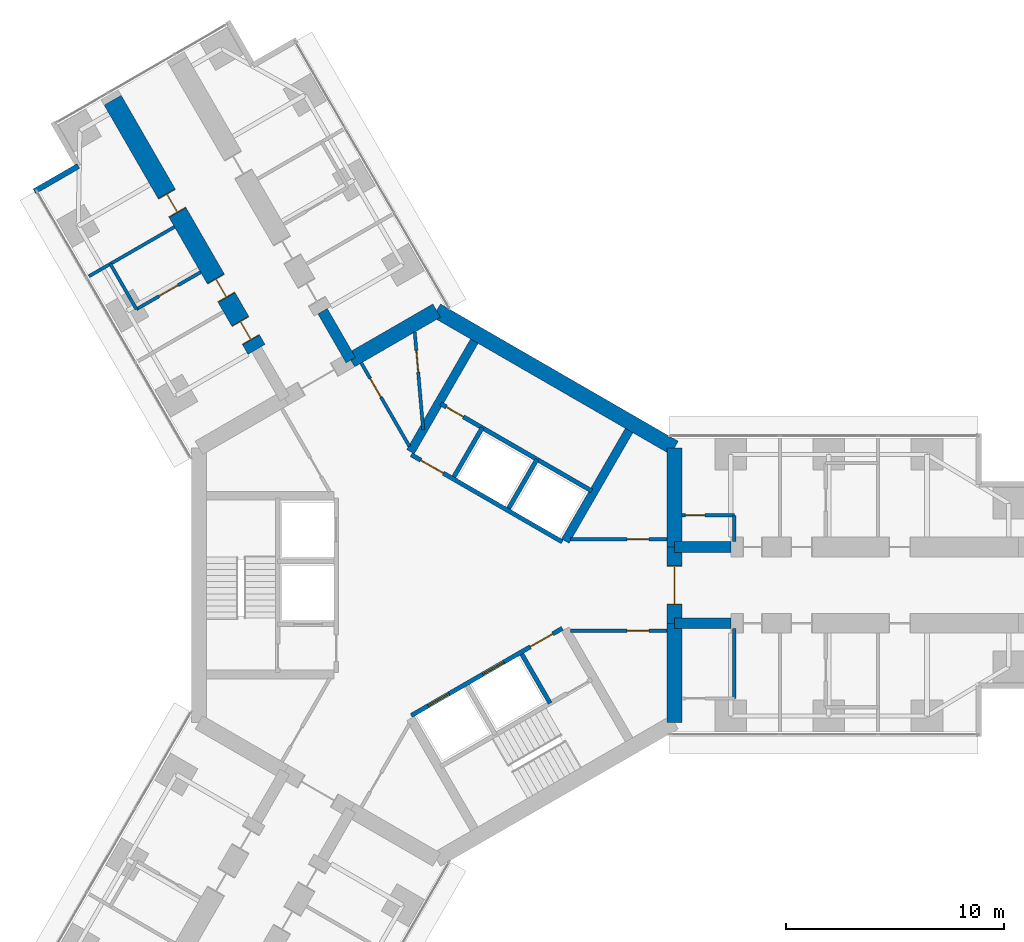
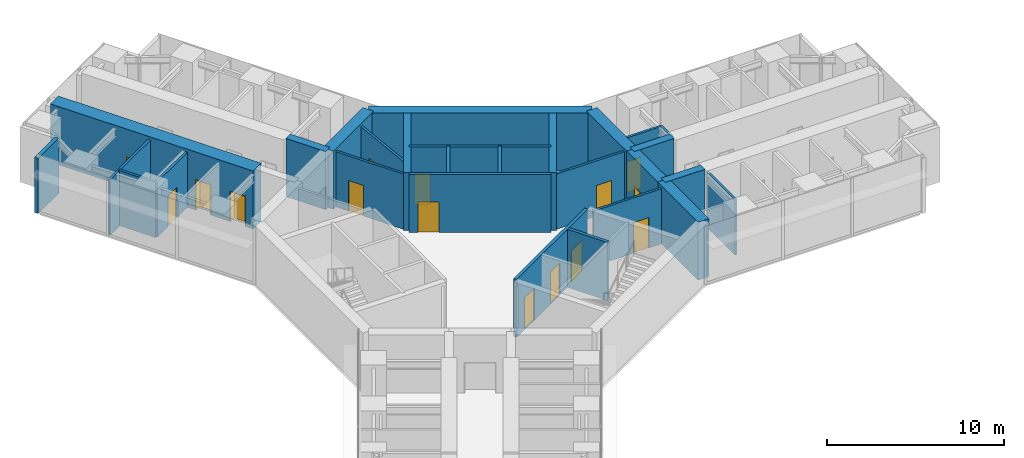
# One storey, part 18 of 24: 28 walls, 15 doors, 15 openings.
"""IFC4 building model written with IfcOpenShell, lengths in metres."""

from ifc_helpers import new_model, si_unit, direction, frame, frame_2d, origin, place, context, subcontext, project, spatial, rectangle, extrude, material, layer, layer_set, type_object, element, fill, save


model = new_model("IFC4")

# Units and contexts
model_context = context("Model", 3, precision=1e-05, world=origin(), true_north=direction((0.0, 1.0)))
body_context = subcontext(model_context, "Body", "Model", "MODEL_VIEW")
ifc_project = project(units=[si_unit("LENGTHUNIT", "METRE"), si_unit("AREAUNIT", "SQUARE_METRE"), si_unit("VOLUMEUNIT", "CUBIC_METRE"), si_unit("PLANEANGLEUNIT", "RADIAN"), si_unit("MASSUNIT", "GRAM", prefix="KILO")], contexts=[model_context])

# Site, building, storey
site_placement = place(None, origin())
site = spatial("IfcSite", under=ifc_project, at=site_placement, CompositionType="ELEMENT")
building_placement = place(site_placement, origin())
building = spatial("IfcBuilding", under=site, at=building_placement, Name="Upepo Twin Towers", CompositionType="ELEMENT")
storey_placement = place(building_placement, frame((0.0, 0.0, 64.5)))
storey = spatial("IfcBuildingStorey", under=building, at=storey_placement, Name="L15", CompositionType="ELEMENT", Elevation=64.5)

# Walls
ifc_material_1 = material(Name="Concrete C60/75", Category="concrete")
ifc_layer_1 = layer(ifc_material_1, 0.5)
ifc_layer_set_1 = layer_set([ifc_layer_1], Name="Concrete C60/75")
wall_type_1 = type_object("IfcWallType", Name="Buttress wall 500 RC", PredefinedType="SHEAR", material=ifc_layer_set_1)
for number, where, z_axis, x_axis, name in (
    (1, (10.908447265625, 1.75, 0.0), (0.0, 0.0, 1.0), (1.0, 0.0, 0.0), "T1 wing A buttress wall L"),
    (2, (10.908447265625, -1.75, 0.0), (0.0, 0.0, 1.0), (1.0, 0.0, 0.0), "T1 wing A buttress wall R"),
):
    element("IfcWall", number, at=place(storey_placement, frame(where, z_axis=z_axis, x_axis=x_axis)), inside=storey, type_object=wall_type_1, Name=name, PredefinedType="SHEAR", context=body_context, shape_type="SweptSolid", body=[
        extrude(rectangle(XDim=2.591552734375, YDim=0.5, at=frame_2d((1.2958984375, 0.0))), origin(), (0.0, 0.0, 1.0), 4.0),
    ])
wall_1_placement = place(storey_placement, frame((-3.938720703125, 10.32177734375, 0.0), z_axis=(0.0, 0.0, 1.0), x_axis=(-0.499918158782, 0.866072649678, 0.0)))
element("IfcWall", 3, at=wall_1_placement, inside=storey, type_object=wall_type_1, Name="T1 wing B buttress wall R", PredefinedType="SHEAR", context=body_context, shape_type="SweptSolid", body=[
    extrude(rectangle(XDim=2.591796875, YDim=0.5, at=frame_2d((1.2958984375, 0.0))), origin(), (0.0, 0.0, 1.0), 4.0),
])

# Wall, openings, doors
ifc_material_2 = material(Name="Concrete C60/75", Category="concrete")
ifc_layer_2 = layer(ifc_material_2, 0.89990234375)
ifc_layer_set_2 = layer_set([ifc_layer_2], Name="Concrete C60/75")
wall_type_2 = type_object("IfcWallType", Name="Buttress wall 900 RC", PredefinedType="SHEAR", material=ifc_layer_set_2)
wall_2_placement = place(storey_placement, frame((-8.265625, 10.81640625, 0.0), z_axis=(0.0, 0.0, 1.0), x_axis=(-0.499996231654, 0.866027579429, 0.0)))
wall_2 = element("IfcWall", 4, at=wall_2_placement, inside=storey, type_object=wall_type_2, Name="T1 wing B buttress wall L part 2", PredefinedType="SHEAR", context=body_context, shape_type="SweptSolid", body=[
    extrude(rectangle(XDim=13.19970703125, YDim=0.89990234375, at=frame_2d((6.599853515625, 0.0))), origin(), (0.0, 0.0, 1.0), 4.0),
])
opening_1_placement = place(wall_2_placement, frame((0.5, 0.0, 0.0)))
opening_1 = element("IfcOpeningElement", 5, at=opening_1_placement, cuts=wall_2, Name="Opening D1", PredefinedType="OPENING", context=body_context, shape_type="SweptSolid", body=[
    extrude(rectangle(XDim=1.0, YDim=2.10009765625, at=frame_2d((0.5, 1.050048828125))), frame((0.0, 0.4599609375, 0.0), z_axis=(0.0, -1.0, 0.0), x_axis=(1.0, 0.0, 0.0)), (0.0, 0.0, 1.0), 0.919921875),
])
opening_2_placement = place(wall_2_placement, frame((2.75, 0.0, 0.0)))
opening_2 = element("IfcOpeningElement", 6, at=opening_2_placement, cuts=wall_2, Name="Opening D1", PredefinedType="OPENING", context=body_context, shape_type="SweptSolid", body=[
    extrude(rectangle(XDim=1.0, YDim=2.10009765625, at=frame_2d((0.5, 1.050048828125))), frame((0.0, 0.4599609375, 0.0), z_axis=(0.0, -1.0, 0.0), x_axis=(1.0, 0.0, 0.0)), (0.0, 0.0, 1.0), 0.919921875),
])
opening_3_placement = place(wall_2_placement, frame((7.25, 0.0, 0.0)))
opening_3 = element("IfcOpeningElement", 7, at=opening_3_placement, cuts=wall_2, Name="Opening D1", PredefinedType="OPENING", context=body_context, shape_type="SweptSolid", body=[
    extrude(rectangle(XDim=1.0, YDim=2.10009765625, at=frame_2d((0.5, 1.050048828125))), frame((0.0, 0.4599609375, 0.0), z_axis=(0.0, -1.0, 0.0), x_axis=(1.0, 0.0, 0.0)), (0.0, 0.0, 1.0), 0.919921875),
])
ifc_material_3 = material(Name="Timber doorset", Category="wood")
door_type_1 = type_object("IfcDoorType", Name="Room door 1000 FD30", OperationType="SINGLE_SWING_LEFT", PredefinedType="DOOR", material=ifc_material_3)
door_1_placement = place(opening_1_placement, origin())
door_1 = element("IfcDoor", 8, at=door_1_placement, inside=storey, type_object=door_type_1, Name="T1 L15 seminar room door", OperationType="SINGLE_SWING_LEFT", OverallHeight=2.10009765625, OverallWidth=1.0, PredefinedType="DOOR", context=body_context, shape_type="SweptSolid", body=[
    extrude(rectangle(XDim=0.92, YDim=2.06009765625, at=frame_2d((0.5, 1.030029296875))), frame((0.0, 0.02490234375, 0.0), z_axis=(0.0, -1.0, 0.0), x_axis=(1.0, 0.0, 0.0)), (0.0, 0.0, 1.0), 0.050048828125),
    extrude(rectangle(XDim=0.04, YDim=2.10009765625, at=frame_2d((0.02001953125, 1.050048828125))), frame((0.0, 0.44970703125, 0.0), z_axis=(0.0, -1.0, 0.0), x_axis=(1.0, 0.0, 0.0)), (0.0, 0.0, 1.0), 0.8994140625),
    extrude(rectangle(XDim=0.04, YDim=2.10009765625, at=frame_2d((0.97998046875, 1.050048828125))), frame((0.0, 0.44970703125, 0.0), z_axis=(0.0, -1.0, 0.0), x_axis=(1.0, 0.0, 0.0)), (0.0, 0.0, 1.0), 0.8994140625),
    extrude(rectangle(XDim=0.92, YDim=0.04, at=frame_2d((0.5, 2.080078125))), frame((0.0, 0.44970703125, 0.0), z_axis=(0.0, -1.0, 0.0), x_axis=(1.0, 0.0, 0.0)), (0.0, 0.0, 1.0), 0.8994140625),
])
fill(opening_1, door_1)
door_2_placement = place(opening_2_placement, origin())
door_2 = element("IfcDoor", 9, at=door_2_placement, inside=storey, type_object=door_type_1, Name="T1 L15 staff office door", OperationType="SINGLE_SWING_LEFT", OverallHeight=2.10009765625, OverallWidth=1.0, PredefinedType="DOOR", context=body_context, shape_type="SweptSolid", body=[
    extrude(rectangle(XDim=0.92, YDim=2.06009765625, at=frame_2d((0.5, 1.030029296875))), frame((0.0, 0.02490234375, 0.0), z_axis=(0.0, -1.0, 0.0), x_axis=(1.0, 0.0, 0.0)), (0.0, 0.0, 1.0), 0.050048828125),
    extrude(rectangle(XDim=0.04, YDim=2.10009765625, at=frame_2d((0.02001953125, 1.050048828125))), frame((0.0, 0.44970703125, 0.0), z_axis=(0.0, -1.0, 0.0), x_axis=(1.0, 0.0, 0.0)), (0.0, 0.0, 1.0), 0.8994140625),
    extrude(rectangle(XDim=0.04, YDim=2.10009765625, at=frame_2d((0.97998046875, 1.050048828125))), frame((0.0, 0.44970703125, 0.0), z_axis=(0.0, -1.0, 0.0), x_axis=(1.0, 0.0, 0.0)), (0.0, 0.0, 1.0), 0.8994140625),
    extrude(rectangle(XDim=0.92, YDim=0.04, at=frame_2d((0.5, 2.080078125))), frame((0.0, 0.44970703125, 0.0), z_axis=(0.0, -1.0, 0.0), x_axis=(1.0, 0.0, 0.0)), (0.0, 0.0, 1.0), 0.8994140625),
])
fill(opening_2, door_2)
door_3_placement = place(opening_3_placement, origin())
door_3 = element("IfcDoor", 10, at=door_3_placement, inside=storey, type_object=door_type_1, Name="T1 L15 tutorial room door", OperationType="SINGLE_SWING_RIGHT", OverallHeight=2.10009765625, OverallWidth=1.0, PredefinedType="DOOR", context=body_context, shape_type="SweptSolid", body=[
    extrude(rectangle(XDim=0.92, YDim=2.06009765625, at=frame_2d((0.5, 1.030029296875))), frame((0.0, 0.02490234375, 0.0), z_axis=(0.0, -1.0, 0.0), x_axis=(1.0, 0.0, 0.0)), (0.0, 0.0, 1.0), 0.050048828125),
    extrude(rectangle(XDim=0.04, YDim=2.10009765625, at=frame_2d((0.02001953125, 1.050048828125))), frame((0.0, 0.44970703125, 0.0), z_axis=(0.0, -1.0, 0.0), x_axis=(1.0, 0.0, 0.0)), (0.0, 0.0, 1.0), 0.8994140625),
    extrude(rectangle(XDim=0.04, YDim=2.10009765625, at=frame_2d((0.97998046875, 1.050048828125))), frame((0.0, 0.44970703125, 0.0), z_axis=(0.0, -1.0, 0.0), x_axis=(1.0, 0.0, 0.0)), (0.0, 0.0, 1.0), 0.8994140625),
    extrude(rectangle(XDim=0.92, YDim=0.04, at=frame_2d((0.5, 2.080078125))), frame((0.0, 0.44970703125, 0.0), z_axis=(0.0, -1.0, 0.0), x_axis=(1.0, 0.0, 0.0)), (0.0, 0.0, 1.0), 0.8994140625),
])
fill(opening_3, door_3)

# Wall
ifc_material_4 = material(Name="Concrete C60/75", Category="concrete")
ifc_layer_3 = layer(ifc_material_4, 0.699951171875)
ifc_layer_set_3 = layer_set([ifc_layer_3], Name="Concrete C60/75")
wall_type_3 = type_object("IfcWallType", Name="Core wall 700 RC", PredefinedType="SHEAR", material=ifc_layer_set_3)
wall_3_placement = place(storey_placement, frame((10.908447265625, -6.2978515625, 0.0), z_axis=(0.0, 0.0, 1.0), x_axis=(0.0, 1.0, 0.0)))
element("IfcWall", 11, at=wall_3_placement, inside=storey, type_object=wall_type_3, Name="T1 core wall 000 R", PredefinedType="SHEAR", context=body_context, shape_type="SweptSolid", body=[
    extrude(rectangle(XDim=4.5478515625, YDim=0.699951171875, at=frame_2d((2.27392578125, 0.0))), origin(), (0.0, 0.0, 1.0), 4.0),
])

# Wall, opening, door
wall_4_placement = place(storey_placement, frame((10.908447265625, -1.75, 0.0), z_axis=(0.0, 0.0, 1.0), x_axis=(0.0, 1.0, 0.0)))
wall_4 = element("IfcWall", 12, at=wall_4_placement, inside=storey, type_object=wall_type_3, Name="T1 core wall 000", PredefinedType="SHEAR", context=body_context, shape_type="SweptSolid", body=[
    extrude(rectangle(XDim=3.5, YDim=0.699951171875, at=frame_2d((1.75, 0.0))), origin(), (0.0, 0.0, 1.0), 4.0),
])
opening_4_placement = place(wall_4_placement, frame((0.85009765625, 0.0, 0.0)))
opening_4 = element("IfcOpeningElement", 13, at=opening_4_placement, cuts=wall_4, Name="Opening D2", PredefinedType="OPENING", context=body_context, shape_type="SweptSolid", body=[
    extrude(rectangle(XDim=1.800048828125, YDim=2.10009765625, at=frame_2d((0.89990234375, 1.050048828125))), frame((0.0, 0.35986328125, 0.0), z_axis=(0.0, -1.0, 0.0), x_axis=(1.0, 0.0, 0.0)), (0.0, 0.0, 1.0), 0.719970703125),
])
ifc_material_5 = material(Name="Timber doorset", Category="wood")
door_type_2 = type_object("IfcDoorType", Name="Corridor double door 1800 FD60", OperationType="DOUBLE_DOOR_DOUBLE_SWING", PredefinedType="DOOR", material=ifc_material_5)
door_4_placement = place(opening_4_placement, origin())
door_4 = element("IfcDoor", 14, at=door_4_placement, inside=storey, type_object=door_type_2, Name="T1 L15 wing A corridor door", OperationType="DOUBLE_DOOR_DOUBLE_SWING", OverallHeight=2.10009765625, OverallWidth=1.800048828125, PredefinedType="DOOR", context=body_context, shape_type="SweptSolid", body=[
    extrude(rectangle(XDim=1.720048828125, YDim=2.06009765625, at=frame_2d((0.89990234375, 1.030029296875))), frame((0.0, 0.02490234375, 0.0), z_axis=(0.0, -1.0, 0.0), x_axis=(1.0, 0.0, 0.0)), (0.0, 0.0, 1.0), 0.050048828125),
    extrude(rectangle(XDim=0.04, YDim=2.10009765625, at=frame_2d((0.02001953125, 1.050048828125))), frame((0.0, 0.349609375, 0.0), z_axis=(0.0, -1.0, 0.0), x_axis=(1.0, 0.0, 0.0)), (0.0, 0.0, 1.0), 0.699462890625),
    extrude(rectangle(XDim=0.04, YDim=2.10009765625, at=frame_2d((1.780029296875, 1.050048828125))), frame((0.0, 0.349609375, 0.0), z_axis=(0.0, -1.0, 0.0), x_axis=(1.0, 0.0, 0.0)), (0.0, 0.0, 1.0), 0.699462890625),
    extrude(rectangle(XDim=1.720048828125, YDim=0.04, at=frame_2d((0.89990234375, 2.080078125))), frame((0.0, 0.349609375, 0.0), z_axis=(0.0, -1.0, 0.0), x_axis=(1.0, 0.0, 0.0)), (0.0, 0.0, 1.0), 0.699462890625),
])
fill(opening_4, door_4)

# Walls
wall_5_placement = place(storey_placement, frame((10.908447265625, 1.75, 0.0), z_axis=(0.0, 0.0, 1.0), x_axis=(0.0, 1.0, 0.0)))
element("IfcWall", 15, at=wall_5_placement, inside=storey, type_object=wall_type_3, Name="T1 core wall 000 L", PredefinedType="SHEAR", context=body_context, shape_type="SweptSolid", body=[
    extrude(rectangle(XDim=4.5478515625, YDim=0.699951171875, at=frame_2d((2.27392578125, 0.0))), origin(), (0.0, 0.0, 1.0), 4.0),
])
wall_6_placement = place(storey_placement, frame((10.908447265625, 6.2978515625, 0.0), z_axis=(0.0, 0.0, 1.0), x_axis=(-0.866021940709, 0.500005998175, 0.0)))
element("IfcWall", 16, at=wall_6_placement, inside=storey, type_object=wall_type_3, Name="T1 core wall 060", PredefinedType="SHEAR", context=body_context, shape_type="SweptSolid", body=[
    extrude(rectangle(XDim=12.595947265625, YDim=0.699951171875, at=frame_2d((6.2978515625, 0.0))), origin(), (0.0, 0.0, 1.0), 4.0),
])
wall_7_placement = place(storey_placement, frame((0.0, 12.595947265625, 0.0), z_axis=(0.0, 0.0, 1.0), x_axis=(-0.866011268655, -0.500024481964, 0.0)))
element("IfcWall", 17, at=wall_7_placement, inside=storey, type_object=wall_type_3, Name="T1 core wall 120 R", PredefinedType="SHEAR", context=body_context, shape_type="SweptSolid", body=[
    extrude(rectangle(XDim=4.548095703125, YDim=0.699951171875, at=frame_2d((2.27392578125, 0.0))), origin(), (0.0, 0.0, 1.0), 4.0),
])
ifc_material_6 = material(Name="Blockwork with anodised aluminium cladding", Category="masonry")
ifc_layer_4 = layer(ifc_material_6, 0.25)
ifc_layer_set_4 = layer_set([ifc_layer_4], Name="Notch cladding wall 250, pale metal")
wall_type_4 = type_object("IfcWallType", Name="Notch cladding wall 250, pale metal", PredefinedType="STANDARD", material=ifc_layer_set_4)
wall_8_placement = place(storey_placement, frame((-18.456298828125, 18.0673828125, 0.0), z_axis=(0.0, 0.0, 1.0), x_axis=(0.865998469481, 0.500046648681, 0.0)))
element("IfcWall", 18, at=wall_8_placement, inside=storey, type_object=wall_type_4, Name="T1 L15 wing B notch wall L1", PredefinedType="STANDARD", context=body_context, shape_type="SweptSolid", body=[
    extrude(rectangle(XDim=2.324951171875, YDim=0.25, at=frame_2d((1.16259765625, 0.0))), origin(), (0.0, 0.0, 1.0), 3.800048828125),
])

# Wall, opening, door
ifc_material_7 = material(Name="Concrete C40/50", Category="concrete")
ifc_layer_5 = layer(ifc_material_7, 0.199951171875)
ifc_layer_set_5 = layer_set([ifc_layer_5], Name="Concrete C40/50")
wall_type_5 = type_object("IfcWallType", Name="Shaft wall 200 RC", PredefinedType="SHEAR", material=ifc_layer_set_5)
wall_9_placement = place(storey_placement, frame((5.76416015625, 1.983642578125, 0.0), z_axis=(0.0, 0.0, 1.0), x_axis=(-0.866026010844, 0.49999894854, 0.0)))
wall_9 = element("IfcWall", 19, at=wall_9_placement, inside=storey, type_object=wall_type_5, Name="T1 core W60 front wall", PredefinedType="SHEAR", context=body_context, shape_type="SweptSolid", body=[
    extrude(rectangle(XDim=8.0, YDim=0.199951171875, at=frame_2d((4.0, 0.0))), origin(), (0.0, 0.0, 1.0), 4.0),
])
opening_5_placement = place(wall_9_placement, frame((6.300048828125, 0.0, 0.0)))
opening_5 = element("IfcOpeningElement", 20, at=opening_5_placement, cuts=wall_9, Name="Opening D4", PredefinedType="OPENING", context=body_context, shape_type="SweptSolid", body=[
    extrude(rectangle(XDim=1.199951171875, YDim=2.10009765625, at=frame_2d((0.60009765625, 1.050048828125))), frame((0.0, 0.10986328125, 0.0), z_axis=(0.0, -1.0, 0.0), x_axis=(1.0, 0.0, 0.0)), (0.0, 0.0, 1.0), 0.219970703125),
])
ifc_material_8 = material(Name="Timber doorset", Category="wood")
door_type_3 = type_object("IfcDoorType", Name="Lobby door 1200 FD60", OperationType="SINGLE_SWING_LEFT", PredefinedType="DOOR", material=ifc_material_8)
door_5_placement = place(opening_5_placement, origin())
door_5 = element("IfcDoor", 21, at=door_5_placement, inside=storey, type_object=door_type_3, Name="T1 L15 W60 lobby door", OperationType="SINGLE_SWING_RIGHT", OverallHeight=2.10009765625, OverallWidth=1.199951171875, PredefinedType="DOOR", context=body_context, shape_type="SweptSolid", body=[
    extrude(rectangle(XDim=1.199951171875, YDim=2.10009765625, at=frame_2d((0.60009765625, 1.050048828125))), frame((0.0, 0.02490234375, 0.0), z_axis=(0.0, -1.0, 0.0), x_axis=(1.0, 0.0, 0.0)), (0.0, 0.0, 1.0), 0.050048828125),
])
fill(opening_5, door_5)

# Walls
for number, where, z_axis, x_axis, name in (
    (22, (3.302734375, 3.520263671875, 0.0), (0.0, 0.0, 1.0), (0.499936506574, 0.866062058628, 0.0), "T1 core W60 shaft divider"),
    (23, (0.791259765625, 4.97021484375, 0.0), (0.0, 0.0, 1.0), (0.499936506574, 0.866062058628, 0.0), "T1 core W60 lobby wall"),
):
    element("IfcWall", number, at=place(storey_placement, frame(where, z_axis=z_axis, x_axis=x_axis)), inside=storey, type_object=wall_type_5, Name=name, PredefinedType="SHEAR", context=body_context, shape_type="SweptSolid", body=[
        extrude(rectangle(XDim=2.599853515625, YDim=0.199951171875, at=frame_2d((1.2998046875, 0.0))), origin(), (0.0, 0.0, 1.0), 4.0),
    ])

# Wall, opening, door
wall_10_placement = place(storey_placement, frame((7.114013671875, 4.322021484375, 0.0), z_axis=(0.0, 0.0, 1.0), x_axis=(-0.866026010844, 0.49999894854, 0.0)))
wall_10 = element("IfcWall", 24, at=wall_10_placement, inside=storey, type_object=wall_type_5, Name="T1 core W60 stair wall", PredefinedType="SHEAR", context=body_context, shape_type="SweptSolid", body=[
    extrude(rectangle(XDim=8.0, YDim=0.199951171875, at=frame_2d((4.0, 0.0))), origin(), (0.0, 0.0, 1.0), 4.0),
])
opening_6_placement = place(wall_10_placement, frame((6.800048828125, 0.0, 0.0)))
opening_6 = element("IfcOpeningElement", 25, at=opening_6_placement, cuts=wall_10, Name="Opening D9", PredefinedType="OPENING", context=body_context, shape_type="SweptSolid", body=[
    extrude(rectangle(XDim=0.89990234375, YDim=2.10009765625, at=frame_2d((0.449951171875, 1.050048828125))), frame((0.0, 0.10986328125, 0.0), z_axis=(0.0, -1.0, 0.0), x_axis=(1.0, 0.0, 0.0)), (0.0, 0.0, 1.0), 0.219970703125),
])
ifc_material_9 = material(Name="Timber doorset", Category="wood")
door_type_4 = type_object("IfcDoorType", Name="Riser door 900 FD60", OperationType="SINGLE_SWING_LEFT", PredefinedType="DOOR", material=ifc_material_9)
door_6_placement = place(opening_6_placement, origin())
door_6 = element("IfcDoor", 26, at=door_6_placement, inside=storey, type_object=door_type_4, Name="T1 L15 riser door", OperationType="SINGLE_SWING_RIGHT", OverallHeight=2.10009765625, OverallWidth=0.89990234375, PredefinedType="DOOR", context=body_context, shape_type="SweptSolid", body=[
    extrude(rectangle(XDim=0.89990234375, YDim=2.10009765625, at=frame_2d((0.449951171875, 1.050048828125))), frame((0.0, 0.02490234375, 0.0), z_axis=(0.0, -1.0, 0.0), x_axis=(1.0, 0.0, 0.0)), (0.0, 0.0, 1.0), 0.050048828125),
])
fill(opening_6, door_6)

# Wall, openings, doors
wall_11_placement = place(storey_placement, frame((-1.1640625, -5.983642578125, 0.0), z_axis=(0.0, 0.0, 1.0), x_axis=(0.866026010844, 0.49999894854, 0.0)))
wall_11 = element("IfcWall", 27, at=wall_11_placement, inside=storey, type_object=wall_type_5, Name="T1 core W300 front wall", PredefinedType="SHEAR", context=body_context, shape_type="SweptSolid", body=[
    extrude(rectangle(XDim=8.0, YDim=0.199951171875, at=frame_2d((4.0, 0.0))), origin(), (0.0, 0.0, 1.0), 4.0),
])
opening_7_placement = place(wall_11_placement, frame((6.300048828125, 0.0, 0.0)))
opening_7 = element("IfcOpeningElement", 28, at=opening_7_placement, cuts=wall_11, Name="Opening D4", PredefinedType="OPENING", context=body_context, shape_type="SweptSolid", body=[
    extrude(rectangle(XDim=1.199951171875, YDim=2.10009765625, at=frame_2d((0.60009765625, 1.050048828125))), frame((0.0, 0.10986328125, 0.0), z_axis=(0.0, -1.0, 0.0), x_axis=(1.0, 0.0, 0.0)), (0.0, 0.0, 1.0), 0.219970703125),
])
opening_8_placement = place(wall_11_placement, frame((0.89990234375, 0.0, 0.0)))
opening_8 = element("IfcOpeningElement", 29, at=opening_8_placement, cuts=wall_11, Name="Opening LD1", PredefinedType="OPENING", context=body_context, shape_type="SweptSolid", body=[
    extrude(rectangle(XDim=1.10009765625, YDim=2.199951171875, at=frame_2d((0.550048828125, 1.10009765625))), frame((0.0, 0.10986328125, 0.0), z_axis=(0.0, -1.0, 0.0), x_axis=(1.0, 0.0, 0.0)), (0.0, 0.0, 1.0), 0.219970703125),
])
opening_9_placement = place(wall_11_placement, frame((3.800048828125, 0.0, 0.0)))
opening_9 = element("IfcOpeningElement", 30, at=opening_9_placement, cuts=wall_11, Name="Opening LD1", PredefinedType="OPENING", context=body_context, shape_type="SweptSolid", body=[
    extrude(rectangle(XDim=1.10009765625, YDim=2.199951171875, at=frame_2d((0.550048828125, 1.10009765625))), frame((0.0, 0.10986328125, 0.0), z_axis=(0.0, -1.0, 0.0), x_axis=(1.0, 0.0, 0.0)), (0.0, 0.0, 1.0), 0.219970703125),
])
ifc_material_10 = material(Name="Steel doorset", Category="steel")
door_type_5 = type_object("IfcDoorType", Name="Lift landing door 1100", OperationType="DOUBLE_DOOR_SLIDING", PredefinedType="DOOR", material=ifc_material_10)
door_7_placement = place(opening_8_placement, origin())
door_7 = element("IfcDoor", 31, at=door_7_placement, inside=storey, type_object=door_type_5, Name="T1 L15 lift LL1 landing door", OperationType="DOUBLE_DOOR_SLIDING", OverallHeight=2.199951171875, OverallWidth=1.10009765625, PredefinedType="DOOR", context=body_context, shape_type="SweptSolid", body=[
    extrude(rectangle(XDim=1.10009765625, YDim=2.199951171875, at=frame_2d((0.550048828125, 1.10009765625))), frame((0.0, 0.02490234375, 0.0), z_axis=(0.0, -1.0, 0.0), x_axis=(1.0, 0.0, 0.0)), (0.0, 0.0, 1.0), 0.050048828125),
])
fill(opening_8, door_7)
door_8_placement = place(opening_9_placement, origin())
door_8 = element("IfcDoor", 32, at=door_8_placement, inside=storey, type_object=door_type_5, Name="T1 L15 lift LL2 landing door", OperationType="DOUBLE_DOOR_SLIDING", OverallHeight=2.199951171875, OverallWidth=1.10009765625, PredefinedType="DOOR", context=body_context, shape_type="SweptSolid", body=[
    extrude(rectangle(XDim=1.10009765625, YDim=2.199951171875, at=frame_2d((0.550048828125, 1.10009765625))), frame((0.0, 0.02490234375, 0.0), z_axis=(0.0, -1.0, 0.0), x_axis=(1.0, 0.0, 0.0)), (0.0, 0.0, 1.0), 0.050048828125),
])
fill(opening_9, door_8)
door_9_placement = place(opening_7_placement, origin())
door_9 = element("IfcDoor", 33, at=door_9_placement, inside=storey, type_object=door_type_3, Name="T1 L15 W300 lobby door", OperationType="SINGLE_SWING_RIGHT", OverallHeight=2.10009765625, OverallWidth=1.199951171875, PredefinedType="DOOR", context=body_context, shape_type="SweptSolid", body=[
    extrude(rectangle(XDim=1.199951171875, YDim=2.10009765625, at=frame_2d((0.60009765625, 1.050048828125))), frame((0.0, 0.02490234375, 0.0), z_axis=(0.0, -1.0, 0.0), x_axis=(1.0, 0.0, 0.0)), (0.0, 0.0, 1.0), 0.050048828125),
])
fill(opening_7, door_9)

# Walls
wall_12_placement = place(storey_placement, frame((3.908935546875, -3.17041015625, 0.0), z_axis=(0.0, 0.0, 1.0), x_axis=(0.49997716683, -0.86603858612, 0.0)))
element("IfcWall", 34, at=wall_12_placement, inside=storey, type_object=wall_type_5, Name="T1 core W300 lobby wall", PredefinedType="SHEAR", context=body_context, shape_type="SweptSolid", body=[
    extrude(rectangle(XDim=2.599609375, YDim=0.199951171875, at=frame_2d((1.2998046875, 0.0))), origin(), (0.0, 0.0, 1.0), 4.0),
])
ifc_material_11 = material(Name="Concrete C40/50", Category="concrete")
ifc_layer_6 = layer(ifc_material_11, 0.39990234375)
ifc_layer_set_6 = layer_set([ifc_layer_6], Name="Concrete C40/50")
wall_type_6 = type_object("IfcWallType", Name="Shaft wall 400 RC", PredefinedType="SHEAR", material=ifc_layer_set_6)
for number, where, z_axis, x_axis, name in (
    (35, (-1.20068359375, 6.120361328125, 0.0), (0.0, 0.0, 1.0), (0.500002627198, 0.866023886965, 0.0), "T1 core W60 side wall N"),
    (36, (5.900634765625, 2.020263671875, 0.0), (0.0, 0.0, 1.0), (0.500002627198, 0.866023886965, 0.0), "T1 core W60 side wall S"),
):
    element("IfcWall", number, at=place(storey_placement, frame(where, z_axis=z_axis, x_axis=x_axis)), inside=storey, type_object=wall_type_6, Name=name, PredefinedType="SHEAR", context=body_context, shape_type="SweptSolid", body=[
        extrude(rectangle(XDim=5.8583984375, YDim=0.39990234375, at=frame_2d((2.92919921875, 0.0))), origin(), (0.0, 0.0, 1.0), 4.0),
    ])

# Wall, opening, door
ifc_material_12 = material(Name="Gypsum board on steel studs", Category="steel")
ifc_layer_7 = layer(ifc_material_12, 0.14990234375)
ifc_layer_set_7 = layer_set([ifc_layer_7], Name="Teaching partition 150 acoustic")
wall_type_7 = type_object("IfcWallType", Name="Teaching partition 150 acoustic", PredefinedType="PARTITIONING", material=ifc_layer_set_7)
wall_13_placement = place(storey_placement, frame((11.258056640625, 3.199951171875, 0.0), z_axis=(0.0, 0.0, 1.0), x_axis=(1.0, 0.0, 0.0)))
wall_13 = element("IfcWall", 37, at=wall_13_placement, inside=storey, type_object=wall_type_7, Name="T1 WC bay partition AL at 11.26", PredefinedType="PARTITIONING", context=body_context, shape_type="SweptSolid", body=[
    extrude(rectangle(XDim=2.39990234375, YDim=0.14990234375, at=frame_2d((1.199951171875, 0.0))), origin(), (0.0, 0.0, 1.0), 3.800048828125),
])
opening_10_placement = place(wall_13_placement, frame((0.14990234375, 0.0, 0.0)))
opening_10 = element("IfcOpeningElement", 38, at=opening_10_placement, cuts=wall_13, Name="Opening D14", PredefinedType="OPENING", context=body_context, shape_type="SweptSolid", body=[
    extrude(rectangle(XDim=0.89990234375, YDim=2.10009765625, at=frame_2d((0.449951171875, 1.050048828125))), frame((0.0, 0.0849609375, 0.0), z_axis=(0.0, -1.0, 0.0), x_axis=(1.0, 0.0, 0.0)), (0.0, 0.0, 1.0), 0.169921875),
])
ifc_material_13 = material(Name="Timber doorset", Category="wood")
door_type_6 = type_object("IfcDoorType", Name="Office door 900 FD30", OperationType="SINGLE_SWING_LEFT", PredefinedType="DOOR", material=ifc_material_13)
door_10_placement = place(opening_10_placement, origin())
door_10 = element("IfcDoor", 39, at=door_10_placement, inside=storey, type_object=door_type_6, Name="T1 L15 WC bay inner room door", OperationType="SINGLE_SWING_LEFT", OverallHeight=2.10009765625, OverallWidth=0.89990234375, PredefinedType="DOOR", context=body_context, shape_type="SweptSolid", body=[
    extrude(rectangle(XDim=0.89990234375, YDim=2.10009765625, at=frame_2d((0.449951171875, 1.050048828125))), frame((0.0, 0.02490234375, 0.0), z_axis=(0.0, -1.0, 0.0), x_axis=(1.0, 0.0, 0.0)), (0.0, 0.0, 1.0), 0.050048828125),
])
fill(opening_10, door_10)

# Walls
wall_14_placement = place(storey_placement, frame((13.657958984375, 2.0, 0.0), z_axis=(0.0, 0.0, 1.0), x_axis=(0.0, 1.0, 0.0)))
element("IfcWall", 40, at=wall_14_placement, inside=storey, type_object=wall_type_7, Name="T1 WC bay partition AL end at 13.66", PredefinedType="PARTITIONING", context=body_context, shape_type="SweptSolid", body=[
    extrude(rectangle(XDim=1.199951171875, YDim=0.14990234375, at=frame_2d((0.60009765625, 0.0))), origin(), (0.0, 0.0, 1.0), 3.800048828125),
])
wall_15_placement = place(storey_placement, frame((13.657958984375, -2.0, 0.0), z_axis=(0.0, 0.0, 1.0), x_axis=(0.0, -1.0, 0.0)))
element("IfcWall", 41, at=wall_15_placement, inside=storey, type_object=wall_type_7, Name="T1 WC bay partition AR end at 13.66", PredefinedType="PARTITIONING", context=body_context, shape_type="SweptSolid", body=[
    extrude(rectangle(XDim=3.199951171875, YDim=0.14990234375, at=frame_2d((1.60009765625, 0.0))), origin(), (0.0, 0.0, 1.0), 3.800048828125),
])
wall_16_placement = place(storey_placement, frame((-12.0302734375, 16.43701171875, 0.0), z_axis=(0.0, 0.0, 1.0), x_axis=(-0.866035472144, -0.499982560684, 0.0)))
element("IfcWall", 42, at=wall_16_placement, inside=storey, type_object=wall_type_7, Name="T1 partition BL at 20.25", PredefinedType="PARTITIONING", context=body_context, shape_type="SweptSolid", body=[
    extrude(rectangle(XDim=4.550048828125, YDim=0.14990234375, at=frame_2d((2.27490234375, 0.0))), origin(), (0.0, 0.0, 1.0), 3.800048828125),
])
wall_17_placement = place(storey_placement, frame((-13.774658203125, 12.658447265625, 0.0), z_axis=(0.0, 0.0, 1.0), x_axis=(-0.500033551112, 0.866006032174, 0.0)))
element("IfcWall", 43, at=wall_17_placement, inside=storey, type_object=wall_type_7, Name="T1 inner room partition BL at 17.85", PredefinedType="PARTITIONING", context=body_context, shape_type="SweptSolid", body=[
    extrude(rectangle(XDim=2.400146484375, YDim=0.14990234375, at=frame_2d((1.2001953125, 0.0))), origin(), (0.0, 0.0, 1.0), 3.800048828125),
])

# Wall, opening, door
wall_18_placement = place(storey_placement, frame((-10.830322265625, 14.358642578125, 0.0), z_axis=(0.0, 0.0, 1.0), x_axis=(-0.865989465428, -0.500062241894, 0.0)))
wall_18 = element("IfcWall", 44, at=wall_18_placement, inside=storey, type_object=wall_type_7, Name="T1 inner room partition BL end at 17.85", PredefinedType="PARTITIONING", context=body_context, shape_type="SweptSolid", body=[
    extrude(rectangle(XDim=3.39990234375, YDim=0.14990234375, at=frame_2d((1.699951171875, 0.0))), origin(), (0.0, 0.0, 1.0), 3.800048828125),
])
opening_11_placement = place(wall_18_placement, frame((1.199951171875, 0.0, 0.0)))
opening_11 = element("IfcOpeningElement", 45, at=opening_11_placement, cuts=wall_18, Name="Opening D1", PredefinedType="OPENING", context=body_context, shape_type="SweptSolid", body=[
    extrude(rectangle(XDim=1.0, YDim=2.10009765625, at=frame_2d((0.5, 1.050048828125))), frame((0.0, 0.0849609375, 0.0), z_axis=(0.0, -1.0, 0.0), x_axis=(1.0, 0.0, 0.0)), (0.0, 0.0, 1.0), 0.169921875),
])
door_11_placement = place(opening_11_placement, origin())
door_11 = element("IfcDoor", 46, at=door_11_placement, inside=storey, type_object=door_type_1, Name="T1 L15 inner room door", OperationType="SINGLE_SWING_LEFT", OverallHeight=2.10009765625, OverallWidth=1.0, PredefinedType="DOOR", context=body_context, shape_type="SweptSolid", body=[
    extrude(rectangle(XDim=1.0, YDim=2.10009765625, at=frame_2d((0.5, 1.050048828125))), frame((0.0, 0.02490234375, 0.0), z_axis=(0.0, -1.0, 0.0), x_axis=(1.0, 0.0, 0.0)), (0.0, 0.0, 1.0), 0.050048828125),
])
fill(opening_11, door_11)

wall_19_placement = place(storey_placement, frame((-3.465576171875, 10.202392578125, 0.0), z_axis=(0.0, 0.0, 1.0), x_axis=(0.500007369519, -0.866021148949, 0.0)))
wall_19 = element("IfcWall", 47, at=wall_19_placement, inside=storey, type_object=wall_type_7, Name="T1 core room partition 4", PredefinedType="PARTITIONING", context=body_context, shape_type="SweptSolid", body=[
    extrude(rectangle(XDim=4.42578125, YDim=0.14990234375, at=frame_2d((2.212890625, 0.0))), origin(), (0.0, 0.0, 1.0), 3.800048828125),
])
opening_12_placement = place(wall_19_placement, frame((0.82763671875, 0.0, 0.0)))
opening_12 = element("IfcOpeningElement", 48, at=opening_12_placement, cuts=wall_19, Name="Opening D1", PredefinedType="OPENING", context=body_context, shape_type="SweptSolid", body=[
    extrude(rectangle(XDim=1.0, YDim=2.10009765625, at=frame_2d((0.5, 1.050048828125))), frame((0.0, 0.0849609375, 0.0), z_axis=(0.0, -1.0, 0.0), x_axis=(1.0, 0.0, 0.0)), (0.0, 0.0, 1.0), 0.169921875),
])
door_12_placement = place(opening_12_placement, origin())
door_12 = element("IfcDoor", 49, at=door_12_placement, inside=storey, type_object=door_type_1, Name="T1 L15 core room door K5", OperationType="SINGLE_SWING_LEFT", OverallHeight=2.10009765625, OverallWidth=1.0, PredefinedType="DOOR", context=body_context, shape_type="SweptSolid", body=[
    extrude(rectangle(XDim=1.0, YDim=2.10009765625, at=frame_2d((0.5, 1.050048828125))), frame((0.0, 0.02490234375, 0.0), z_axis=(0.0, -1.0, 0.0), x_axis=(1.0, 0.0, 0.0)), (0.0, 0.0, 1.0), 0.050048828125),
])
fill(opening_12, door_12)

wall_20_placement = place(storey_placement, frame((6.142578125, 2.10009765625, 0.0), z_axis=(0.0, 0.0, 1.0), x_axis=(1.0, 0.0, 0.0)))
wall_20 = element("IfcWall", 50, at=wall_20_placement, inside=storey, type_object=wall_type_7, Name="T1 core room partition 5", PredefinedType="PARTITIONING", context=body_context, shape_type="SweptSolid", body=[
    extrude(rectangle(XDim=4.42578125, YDim=0.14990234375, at=frame_2d((2.212890625, 0.0))), origin(), (0.0, 0.0, 1.0), 3.800048828125),
])
opening_13_placement = place(wall_20_placement, frame((2.597900390625, 0.0, 0.0)))
opening_13 = element("IfcOpeningElement", 51, at=opening_13_placement, cuts=wall_20, Name="Opening D1", PredefinedType="OPENING", context=body_context, shape_type="SweptSolid", body=[
    extrude(rectangle(XDim=1.0, YDim=2.10009765625, at=frame_2d((0.5, 1.050048828125))), frame((0.0, 0.0849609375, 0.0), z_axis=(0.0, -1.0, 0.0), x_axis=(1.0, 0.0, 0.0)), (0.0, 0.0, 1.0), 0.169921875),
])
door_13_placement = place(opening_13_placement, origin())
door_13 = element("IfcDoor", 52, at=door_13_placement, inside=storey, type_object=door_type_1, Name="T1 L15 core room door K4", OperationType="SINGLE_SWING_RIGHT", OverallHeight=2.10009765625, OverallWidth=1.0, PredefinedType="DOOR", context=body_context, shape_type="SweptSolid", body=[
    extrude(rectangle(XDim=1.0, YDim=2.10009765625, at=frame_2d((0.5, 1.050048828125))), frame((0.0, 0.02490234375, 0.0), z_axis=(0.0, -1.0, 0.0), x_axis=(1.0, 0.0, 0.0)), (0.0, 0.0, 1.0), 0.050048828125),
])
fill(opening_13, door_13)

wall_21_placement = place(storey_placement, frame((10.568359375, -2.10009765625, 0.0), z_axis=(0.0, 0.0, 1.0), x_axis=(-1.0, 0.0, 0.0)))
wall_21 = element("IfcWall", 53, at=wall_21_placement, inside=storey, type_object=wall_type_7, Name="T1 core room partition 6", PredefinedType="PARTITIONING", context=body_context, shape_type="SweptSolid", body=[
    extrude(rectangle(XDim=4.42578125, YDim=0.14990234375, at=frame_2d((2.212890625, 0.0))), origin(), (0.0, 0.0, 1.0), 3.800048828125),
])
opening_14_placement = place(wall_21_placement, frame((0.82763671875, 0.0, 0.0)))
opening_14 = element("IfcOpeningElement", 54, at=opening_14_placement, cuts=wall_21, Name="Opening D1", PredefinedType="OPENING", context=body_context, shape_type="SweptSolid", body=[
    extrude(rectangle(XDim=1.0, YDim=2.10009765625, at=frame_2d((0.5, 1.050048828125))), frame((0.0, 0.0849609375, 0.0), z_axis=(0.0, -1.0, 0.0), x_axis=(1.0, 0.0, 0.0)), (0.0, 0.0, 1.0), 0.169921875),
])
door_14_placement = place(opening_14_placement, origin())
door_14 = element("IfcDoor", 55, at=door_14_placement, inside=storey, type_object=door_type_1, Name="T1 L15 core room door K3", OperationType="SINGLE_SWING_LEFT", OverallHeight=2.10009765625, OverallWidth=1.0, PredefinedType="DOOR", context=body_context, shape_type="SweptSolid", body=[
    extrude(rectangle(XDim=1.0, YDim=2.10009765625, at=frame_2d((0.5, 1.050048828125))), frame((0.0, 0.02490234375, 0.0), z_axis=(0.0, -1.0, 0.0), x_axis=(1.0, 0.0, 0.0)), (0.0, 0.0, 1.0), 0.050048828125),
])
fill(opening_14, door_14)

wall_22_placement = place(storey_placement, frame((-0.617919921875, 7.12939453125, 0.0), z_axis=(0.0, 0.0, 1.0), x_axis=(-0.086409450071, 0.996259708579, 0.0)))
wall_22 = element("IfcWall", 56, at=wall_22_placement, inside=storey, type_object=wall_type_7, Name="T1 core room partition 7", PredefinedType="PARTITIONING", context=body_context, shape_type="SweptSolid", body=[
    extrude(rectangle(XDim=4.498046875, YDim=0.14990234375, at=frame_2d((2.2490234375, 0.0))), origin(), (0.0, 0.0, 1.0), 3.800048828125),
])
opening_15_placement = place(wall_22_placement, frame((2.6484375, 0.0, 0.0)))
opening_15 = element("IfcOpeningElement", 57, at=opening_15_placement, cuts=wall_22, Name="Opening D1", PredefinedType="OPENING", context=body_context, shape_type="SweptSolid", body=[
    extrude(rectangle(XDim=1.0, YDim=2.10009765625, at=frame_2d((0.5, 1.050048828125))), frame((0.0, 0.0849609375, 0.0), z_axis=(0.0, -1.0, 0.0), x_axis=(1.0, 0.0, 0.0)), (0.0, 0.0, 1.0), 0.169921875),
])
door_15_placement = place(opening_15_placement, origin())
door_15 = element("IfcDoor", 58, at=door_15_placement, inside=storey, type_object=door_type_1, Name="T1 L15 core room door K6", OperationType="SINGLE_SWING_RIGHT", OverallHeight=2.10009765625, OverallWidth=1.0, PredefinedType="DOOR", context=body_context, shape_type="SweptSolid", body=[
    extrude(rectangle(XDim=1.0, YDim=2.10009765625, at=frame_2d((0.5, 1.050048828125))), frame((0.0, 0.02490234375, 0.0), z_axis=(0.0, -1.0, 0.0), x_axis=(1.0, 0.0, 0.0)), (0.0, 0.0, 1.0), 0.050048828125),
])
fill(opening_15, door_15)

save(model, "model.ifc")
